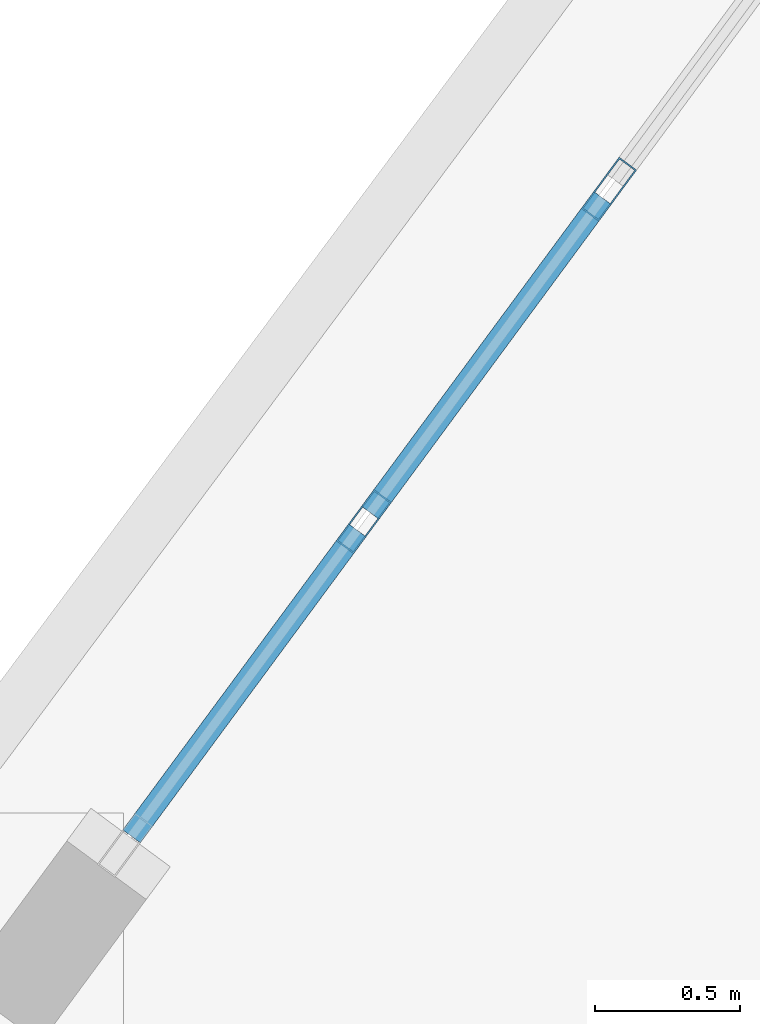
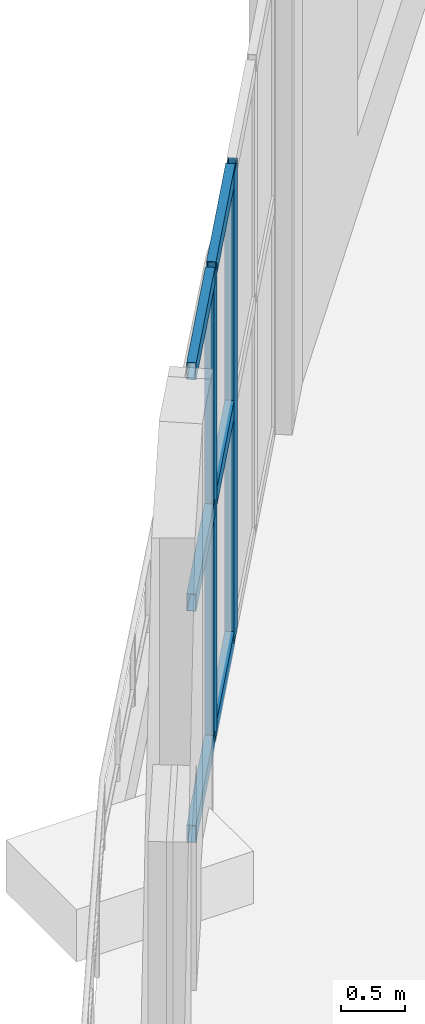
# One storey, part 10 of 23: 8 members, 1 element without a shape of its own.
"""IFC4 building model written with IfcOpenShell, lengths in metres."""

from ifc_helpers import new_model, si_unit, direction, frame, origin, origin_2d, place, context, subcontext, project, spatial, hollow_rectangle, extrude, material, layer, layer_set, material_profile, profile_set, type_object, element, aggregate, save


model = new_model("IFC4")

# Units and contexts
model_context = context("Model", 3, precision=1e-05, world=origin(), true_north=direction((0.0, 1.0)))
body_context = subcontext(model_context, "Body", "Model", "MODEL_VIEW")
ifc_project = project(units=[si_unit("LENGTHUNIT", "METRE"), si_unit("AREAUNIT", "SQUARE_METRE"), si_unit("VOLUMEUNIT", "CUBIC_METRE"), si_unit("PLANEANGLEUNIT", "RADIAN"), si_unit("MASSUNIT", "GRAM", prefix="KILO")], contexts=[model_context])

# Site, building, storey
site_placement = place(None, origin())
site = spatial("IfcSite", under=ifc_project, at=site_placement, CompositionType="ELEMENT")
building_placement = place(site_placement, origin())
building = spatial("IfcBuilding", under=site, at=building_placement, Name="Miruveldt Soraemaru", CompositionType="ELEMENT")
storey_placement = place(building_placement, frame((0.0, 0.0, 9.60009765625)))
storey = spatial("IfcBuildingStorey", under=building, at=storey_placement, Name="L03", CompositionType="ELEMENT", Elevation=9.60009765625)

# Curtain wall, members
ifc_material = material(Name="Anodised aluminium EN AW-6063 T6", Category="aluminium")
ifc_layer = layer(ifc_material, 0.219970703125, Name="Anodised aluminium EN AW-6063 T6", Category="aluminium")
ifc_layer_set = layer_set([ifc_layer], Name="Anodised aluminium EN AW-6063 T6")
curtain_wall_type = type_object("IfcCurtainWallType", Name="CW-SYS-2", PredefinedType="USERDEFINED", material=ifc_layer_set)
curtain_wall_placement = place(storey_placement, origin())
curtain_wall = element("IfcCurtainWall", 1, at=curtain_wall_placement, inside=storey, type_object=curtain_wall_type, Name="L03 Curtain Wall Bay 9", ObjectType="STOREFRONT", PredefinedType="USERDEFINED")
ifc_material_profile_1 = material_profile(ifc_material, hollow_rectangle(XDim=0.074951171875, YDim=0.219970703125, WallThickness=0.0048828125, at=origin_2d()), Name="Anodised aluminium EN AW-6063 T6", Category="aluminium")
ifc_profile_set_1 = profile_set([ifc_material_profile_1], Name="Anodised aluminium EN AW-6063 T6")
member_type_1 = type_object("IfcMemberType", Name="CWM-2", PredefinedType="MULLION", material=ifc_profile_set_1)
member_1_placement = place(storey_placement, frame((27.373779296875, 62.74267578125, 0.0), z_axis=(0.0, 0.0, 1.0), x_axis=(0.804695673223, -0.593687521762, 0.0)))
member_1 = element("IfcMember", 2, at=member_1_placement, type_object=member_type_1, Name="CW-2 mullion 3", PredefinedType="MULLION", context=body_context, shape_type="SweptSolid", body=[
    extrude(hollow_rectangle(XDim=0.074951171875, YDim=0.219970703125, WallThickness=0.0048828125, at=origin_2d()), origin(), (0.0, 0.0, 1.0), 4.5),
])
member_2_placement = place(storey_placement, frame((26.5283203125, 61.5966796875, 0.0), z_axis=(0.0, 0.0, 1.0), x_axis=(0.804695673223, -0.593687521762, 0.0)))
member_2 = element("IfcMember", 3, at=member_2_placement, type_object=member_type_1, Name="CW-2 mullion 4", PredefinedType="MULLION", context=body_context, shape_type="SweptSolid", body=[
    extrude(hollow_rectangle(XDim=0.074951171875, YDim=0.219970703125, WallThickness=0.0048828125, at=origin_2d()), origin(), (0.0, 0.0, 1.0), 4.5),
])
ifc_material_profile_2 = material_profile(ifc_material, hollow_rectangle(XDim=0.074951171875, YDim=0.1650390625, WallThickness=0.00390625, at=origin_2d()), Name="Anodised aluminium EN AW-6063 T6", Category="aluminium")
ifc_profile_set_2 = profile_set([ifc_material_profile_2], Name="Anodised aluminium EN AW-6063 T6")
member_type_2 = type_object("IfcMemberType", Name="CWT-2", PredefinedType="USERDEFINED", material=ifc_profile_set_2)
member_3_placement = place(storey_placement, frame((27.3515625, 62.712646484375, 0.037353515625), z_axis=(-0.593698893065, -0.804687283591, 0.0), x_axis=(0.804687283591, -0.593698893065, 0.0)))
member_3 = element("IfcMember", 4, at=member_3_placement, type_object=member_type_2, Name="CW-2 transom 3.1", ObjectType="TRANSOM", PredefinedType="USERDEFINED", context=body_context, shape_type="SweptSolid", body=[
    extrude(hollow_rectangle(XDim=0.074951171875, YDim=0.1650390625, WallThickness=0.00390625, at=origin_2d()), origin(), (0.0, 0.0, 1.0), 1.34912109375),
])
member_4_placement = place(storey_placement, frame((27.3515625, 62.712646484375, 2.25), z_axis=(-0.593698893065, -0.804687283591, 0.0), x_axis=(0.804687283591, -0.593698893065, 0.0)))
member_4 = element("IfcMember", 5, at=member_4_placement, type_object=member_type_2, Name="CW-2 transom 3.2", ObjectType="TRANSOM", PredefinedType="USERDEFINED", context=body_context, shape_type="SweptSolid", body=[
    extrude(hollow_rectangle(XDim=0.074951171875, YDim=0.1650390625, WallThickness=0.00390625, at=origin_2d()), origin(), (0.0, 0.0, 1.0), 1.34912109375),
])
member_5_placement = place(storey_placement, frame((27.3515625, 62.712646484375, 4.46240234375), z_axis=(-0.593698893065, -0.804687283591, 0.0), x_axis=(0.804687283591, -0.593698893065, 0.0)))
member_5 = element("IfcMember", 6, at=member_5_placement, type_object=member_type_2, Name="CW-2 transom 3.3", ObjectType="TRANSOM", PredefinedType="USERDEFINED", context=body_context, shape_type="SweptSolid", body=[
    extrude(hollow_rectangle(XDim=0.074951171875, YDim=0.1650390625, WallThickness=0.00390625, at=origin_2d()), origin(), (0.0, 0.0, 1.0), 1.34912109375),
])
member_6_placement = place(storey_placement, frame((26.506103515625, 61.56640625, 0.037353515625), z_axis=(-0.593757622102, -0.804643949953, 0.0), x_axis=(0.804643949953, -0.593757622102, 0.0)))
member_6 = element("IfcMember", 7, at=member_6_placement, type_object=member_type_2, Name="CW-2 transom 4.1", ObjectType="TRANSOM", PredefinedType="USERDEFINED", context=body_context, shape_type="SweptSolid", body=[
    extrude(hollow_rectangle(XDim=0.074951171875, YDim=0.1650390625, WallThickness=0.00390625, at=origin_2d()), origin(), (0.0, 0.0, 1.0), 1.311767578125),
])
member_7_placement = place(storey_placement, frame((26.506103515625, 61.56640625, 2.25), z_axis=(-0.593757622102, -0.804643949953, 0.0), x_axis=(0.804643949953, -0.593757622102, 0.0)))
member_7 = element("IfcMember", 8, at=member_7_placement, type_object=member_type_2, Name="CW-2 transom 4.2", ObjectType="TRANSOM", PredefinedType="USERDEFINED", context=body_context, shape_type="SweptSolid", body=[
    extrude(hollow_rectangle(XDim=0.074951171875, YDim=0.1650390625, WallThickness=0.00390625, at=origin_2d()), origin(), (0.0, 0.0, 1.0), 1.311767578125),
])
member_8_placement = place(storey_placement, frame((26.506103515625, 61.56640625, 4.46240234375), z_axis=(-0.593757622102, -0.804643949953, 0.0), x_axis=(0.804643949953, -0.593757622102, 0.0)))
member_8 = element("IfcMember", 9, at=member_8_placement, type_object=member_type_2, Name="CW-2 transom 4.3", ObjectType="TRANSOM", PredefinedType="USERDEFINED", context=body_context, shape_type="SweptSolid", body=[
    extrude(hollow_rectangle(XDim=0.074951171875, YDim=0.1650390625, WallThickness=0.00390625, at=origin_2d()), origin(), (0.0, 0.0, 1.0), 1.311767578125),
])
aggregate(curtain_wall, [member_1, member_2, member_3, member_4, member_5, member_6, member_7, member_8])

save(model, "model.ifc")
